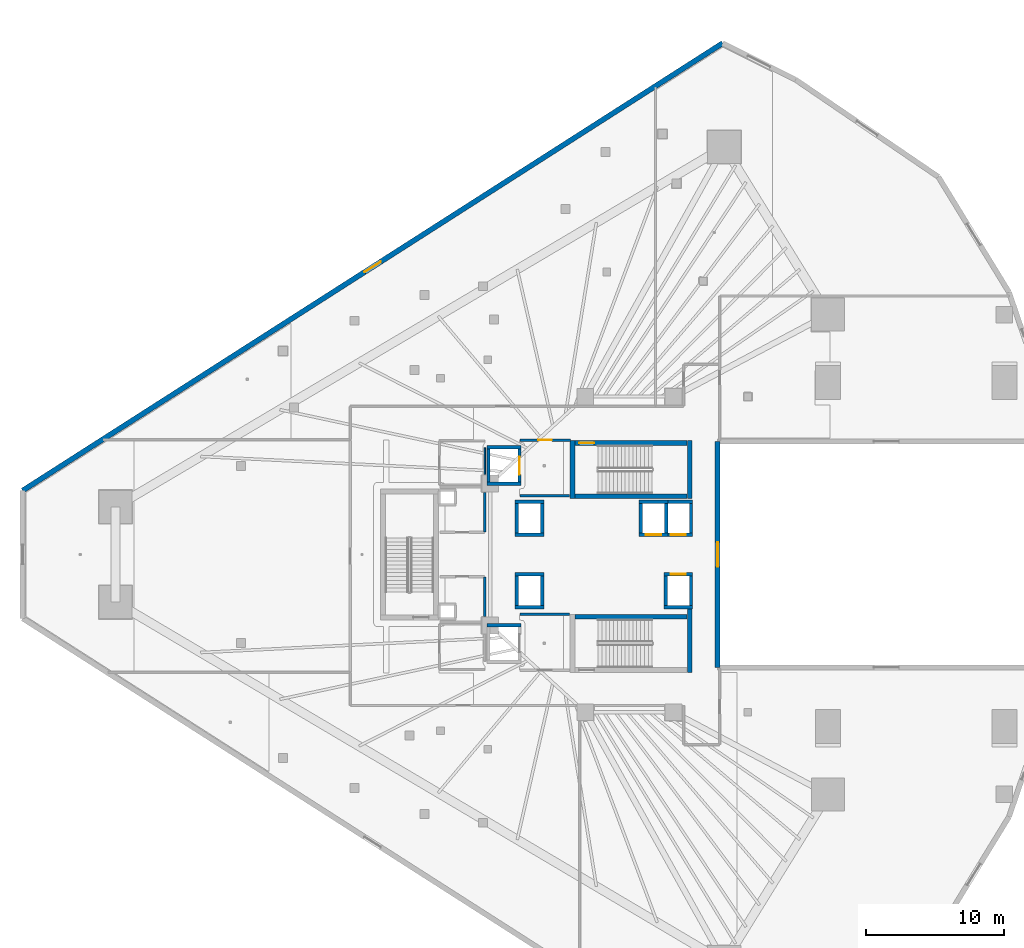
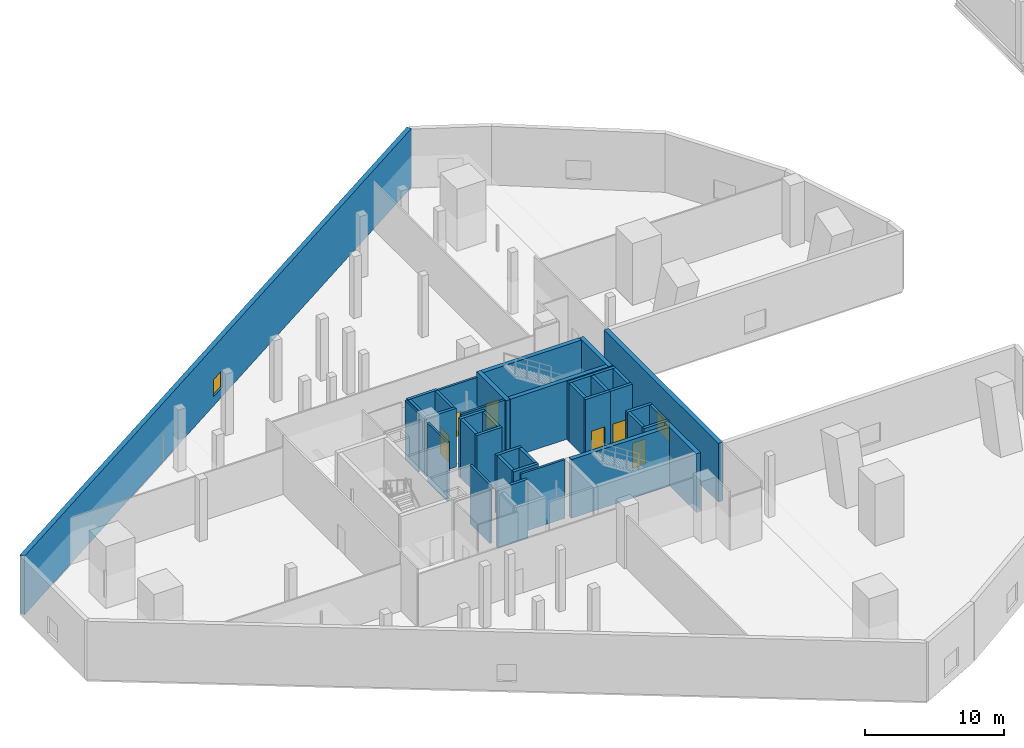
# One storey, part 28 of 47: 38 walls, 6 doors, 2 windows, 8 openings.
"""IFC4 building model written with IfcOpenShell, lengths in metres."""

from ifc_helpers import new_model, si_unit, direction, frame, frame_2d, origin, place, context, subcontext, project, spatial, rectangle, extrude, material, layer, layer_set, type_object, element, fill, save


model = new_model("IFC4")

# Units and contexts
model_context = context("Model", 3, precision=1e-05, world=origin(), true_north=direction((0.0, 1.0)))
body_context = subcontext(model_context, "Body", "Model", "MODEL_VIEW")
ifc_project = project(units=[si_unit("LENGTHUNIT", "METRE"), si_unit("AREAUNIT", "SQUARE_METRE"), si_unit("VOLUMEUNIT", "CUBIC_METRE"), si_unit("PLANEANGLEUNIT", "RADIAN"), si_unit("MASSUNIT", "GRAM", prefix="KILO")], contexts=[model_context])

# Site, building, storey
site_placement = place(None, origin())
site = spatial("IfcSite", under=ifc_project, at=site_placement, CompositionType="ELEMENT")
building_placement = place(site_placement, origin())
building = spatial("IfcBuilding", under=site, at=building_placement, Name="Qorvath Tower", CompositionType="ELEMENT")
storey_placement = place(building_placement, frame((0.0, 0.0, 6.60009765625)))
storey = spatial("IfcBuildingStorey", under=building, at=storey_placement, Name="L01", CompositionType="ELEMENT", Elevation=6.60009765625)

# Wall
ifc_material_1 = material(Name="Gypsum shaftliner on steel studs", Category="steel")
ifc_layer_1 = layer(ifc_material_1, 0.179931640625)
ifc_layer_set_1 = layer_set([ifc_layer_1], Name="FW-LOBBY")
wall_type_1 = type_object("IfcWallType", Name="FW-LOBBY", PredefinedType="PARTITIONING", material=ifc_layer_set_1)
wall_1_placement = place(storey_placement, frame((-28.35498046875, 4.25, 0.0), z_axis=(0.0, 0.0, 1.0), x_axis=(1.0, 0.0, 0.0)))
element("IfcWall", 1, at=wall_1_placement, inside=storey, type_object=wall_type_1, Name="Interior Partition IW-T1-L01-001", PredefinedType="PARTITIONING", context=body_context, shape_type="SweptSolid", body=[
    extrude(rectangle(XDim=3.6220703125, YDim=0.179931640625, at=frame_2d((1.81103515625, 0.0))), origin(), (0.0, 0.0, 1.0), 5.139892578125),
])

# Wall, opening, door
wall_2_placement = place(storey_placement, frame((-24.68408203125, 8.300048828125, 0.0), z_axis=(0.0, 0.0, 1.0), x_axis=(-1.0, 0.0, 0.0)))
wall_2 = element("IfcWall", 2, at=wall_2_placement, inside=storey, type_object=wall_type_1, Name="Interior Partition IW-T1-L01-002", PredefinedType="PARTITIONING", context=body_context, shape_type="SweptSolid", body=[
    extrude(rectangle(XDim=3.6708984375, YDim=0.179931640625, at=frame_2d((1.83544921875, 0.0))), origin(), (0.0, 0.0, 1.0), 4.65283203125),
])
opening_1_placement = place(wall_2_placement, frame((1.33544921875, 0.0, 0.0)))
opening_1 = element("IfcOpeningElement", 3, at=opening_1_placement, cuts=wall_2, Name="Opening D-T1-L01-11", PredefinedType="OPENING", context=body_context, shape_type="SweptSolid", body=[
    extrude(rectangle(XDim=1.0, YDim=2.14990234375, at=frame_2d((0.5, 1.074951171875))), frame((0.0, 0.10009765625, 0.0), z_axis=(0.0, -1.0, 0.0), x_axis=(1.0, 0.0, 0.0)), (0.0, 0.0, 1.0), 0.199951171875),
])
ifc_material_2 = material(Name="Painted galvanised hollow metal", Category="steel")
door_type_1 = type_object("IfcDoorType", Name="FD-60", OperationType="NOTDEFINED", PredefinedType="DOOR", material=ifc_material_2)
door_1_placement = place(opening_1_placement, origin())
door_1 = element("IfcDoor", 4, at=door_1_placement, inside=storey, type_object=door_type_1, Name="Lobby Fire Service Elevator North Door D-T1-L01-11", OperationType="SINGLE_SWING_RIGHT", OverallHeight=2.14990234375, OverallWidth=1.0, PredefinedType="DOOR", context=body_context, shape_type="SweptSolid", body=[
    extrude(rectangle(XDim=1.0, YDim=2.14990234375, at=frame_2d((0.5, 1.074951171875))), frame((0.0, 0.02490234375, 0.0), z_axis=(0.0, -1.0, 0.0), x_axis=(1.0, 0.0, 0.0)), (0.0, 0.0, 1.0), 0.050048828125),
])
fill(opening_1, door_1)

# Walls
wall_3_placement = place(storey_placement, frame((-24.73291015625, -4.35009765625, 0.0), z_axis=(0.0, 0.0, 1.0), x_axis=(-1.0, 0.0, 0.0)))
element("IfcWall", 5, at=wall_3_placement, inside=storey, type_object=wall_type_1, Name="Interior Partition IW-T1-L01-004", PredefinedType="PARTITIONING", context=body_context, shape_type="SweptSolid", body=[
    extrude(rectangle(XDim=3.6220703125, YDim=0.179931640625, at=frame_2d((1.81103515625, 0.0))), origin(), (0.0, 0.0, 1.0), 5.139892578125),
])
for number, where, z_axis, x_axis, name in (
    (6, (-30.8798828125, 1.625, 0.0), (0.0, 0.0, 1.0), (0.0, 1.0, 0.0), "Interior Partition IW-T1-L01-014"),
    (7, (-30.8798828125, -4.485107421875, 0.0), (0.0, 0.0, 1.0), (0.0, 1.0, 0.0), "Interior Partition IW-T1-L01-017"),
):
    element("IfcWall", number, at=place(storey_placement, frame(where, z_axis=z_axis, x_axis=x_axis)), inside=storey, type_object=wall_type_1, Name=name, PredefinedType="PARTITIONING", context=body_context, shape_type="SweptSolid", body=[
        extrude(rectangle(XDim=2.860107421875, YDim=0.179931640625, at=frame_2d((1.43017578125, 0.0))), origin(), (0.0, 0.0, 1.0), 5.139892578125),
    ])
ifc_material_3 = material(Name="Moisture-resistant cement board on metal studs", Category="gypsum")
ifc_layer_2 = layer(ifc_material_3, 0.110107421875)
ifc_layer_set_2 = layer_set([ifc_layer_2], Name="IW-WC-110")
wall_type_2 = type_object("IfcWallType", Name="IW-WC-110", PredefinedType="PARTITIONING", material=ifc_layer_set_2)
wall_4_placement = place(storey_placement, frame((-30.8798828125, 5.81494140625, 0.0), z_axis=(0.0, 0.0, 1.0), x_axis=(0.0, 1.0, 0.0)))
element("IfcWall", 8, at=wall_4_placement, inside=storey, type_object=wall_type_2, Name="Interior Partition IW-T1-L01-007", PredefinedType="PARTITIONING", context=body_context, shape_type="SweptSolid", body=[
    extrude(rectangle(XDim=1.927978515625, YDim=0.110107421875, at=frame_2d((0.9638671875, 0.0))), origin(), (0.0, 0.0, 1.0), 5.139892578125),
])
ifc_material_4 = material(Name="Concrete C60/75", Category="concrete")
ifc_layer_3 = layer(ifc_material_4, 0.260009765625)
ifc_layer_set_3 = layer_set([ifc_layer_3], Name="SW-SHAFT")
wall_type_3 = type_object("IfcWallType", Name="SW-SHAFT", PredefinedType="SHEAR", material=ifc_layer_set_3)
for number, where, z_axis, x_axis, name in (
    (9, (-28.260009765625, 5.1298828125, 0.0), (0.0, 0.0, 1.0), (-1.0, 0.0, 0.0), "Hoistway Wall FSAE-1 L01 S"),
    (10, (-30.739990234375, 7.77001953125, 0.0), (0.0, 0.0, 1.0), (1.0, 0.0, 0.0), "Hoistway Wall FSAE-1 L01 N"),
):
    element("IfcWall", number, at=place(storey_placement, frame(where, z_axis=z_axis, x_axis=x_axis)), inside=storey, type_object=wall_type_3, Name=name, PredefinedType="SHEAR", context=body_context, shape_type="SweptSolid", body=[
        extrude(rectangle(XDim=2.47998046875, YDim=0.239990234375, at=frame_2d((1.239990234375, 0.0))), origin(), (0.0, 0.0, 1.0), 5.139892578125),
    ])
wall_5_placement = place(storey_placement, frame((-30.6201171875, 5.261962890625, 0.0), z_axis=(0.0, 0.0, 1.0), x_axis=(0.0, 1.0, 0.0)))
element("IfcWall", 11, at=wall_5_placement, inside=storey, type_object=wall_type_3, Name="Hoistway Wall FSAE-1 L01 W", PredefinedType="SHEAR", context=body_context, shape_type="SweptSolid", body=[
    extrude(rectangle(XDim=2.3759765625, YDim=0.239990234375, at=frame_2d((1.18798828125, 0.0))), origin(), (0.0, 0.0, 1.0), 5.139892578125),
])

# Wall, opening, door
wall_6_placement = place(storey_placement, frame((-28.3798828125, 7.637939453125, 0.0), z_axis=(0.0, 0.0, 1.0), x_axis=(0.0, -1.0, 0.0)))
wall_6 = element("IfcWall", 12, at=wall_6_placement, inside=storey, type_object=wall_type_3, Name="Hoistway Wall FSAE-1 L01 E", PredefinedType="SHEAR", context=body_context, shape_type="SweptSolid", body=[
    extrude(rectangle(XDim=2.3759765625, YDim=0.239990234375, at=frame_2d((1.18798828125, 0.0))), origin(), (0.0, 0.0, 1.0), 5.139892578125),
])
opening_2_placement = place(wall_6_placement, frame((0.537841796875, 0.0, 0.0)))
opening_2 = element("IfcOpeningElement", 13, at=opening_2_placement, cuts=wall_6, Name="Opening LD-FSAE-1-L01", PredefinedType="OPENING", context=body_context, shape_type="SweptSolid", body=[
    extrude(rectangle(XDim=1.300048828125, YDim=2.300048828125, at=frame_2d((0.64990234375, 1.14990234375))), frame((0.0, 0.1298828125, 0.0), z_axis=(0.0, -1.0, 0.0), x_axis=(1.0, 0.0, 0.0)), (0.0, 0.0, 1.0), 0.260009765625),
])
ifc_material_5 = material(Name="Brushed stainless steel AISI 316", Category="steel")
door_type_2 = type_object("IfcDoorType", Name="LD-02", OperationType="NOTDEFINED", PredefinedType="DOOR", material=ifc_material_5)
door_2_placement = place(opening_2_placement, origin())
door_2 = element("IfcDoor", 14, at=door_2_placement, inside=storey, type_object=door_type_2, Name="Elevator Landing Sliding Door LD-FSAE-1-L01", OperationType="DOUBLE_DOOR_SLIDING", OverallHeight=2.300048828125, OverallWidth=1.300048828125, PredefinedType="DOOR", context=body_context, shape_type="SweptSolid", body=[
    extrude(rectangle(XDim=1.300048828125, YDim=2.300048828125, at=frame_2d((0.64990234375, 1.14990234375))), frame((0.0, 0.02490234375, 0.0), z_axis=(0.0, -1.0, 0.0), x_axis=(1.0, 0.0, 0.0)), (0.0, 0.0, 1.0), 0.050048828125),
])
fill(opening_2, door_2)

# Walls
wall_7_placement = place(storey_placement, frame((-30.739990234375, -5.1298828125, 0.0), z_axis=(0.0, 0.0, 1.0), x_axis=(1.0, 0.0, 0.0)))
element("IfcWall", 15, at=wall_7_placement, inside=storey, type_object=wall_type_3, Name="Hoistway Wall FSAE-2 L01 N", PredefinedType="SHEAR", context=body_context, shape_type="SweptSolid", body=[
    extrude(rectangle(XDim=2.47998046875, YDim=0.239990234375, at=frame_2d((1.239990234375, 0.0))), origin(), (0.0, 0.0, 1.0), 5.139892578125),
])
for number, where, z_axis, x_axis, name in (
    (16, (-26.610107421875, 1.429931640625, 0.0), (0.0, 0.0, 1.0), (-1.0, 0.0, 0.0), "Hoistway Wall PS-1 L01 S"),
    (17, (-28.68994140625, 3.820068359375, 0.0), (0.0, 0.0, 1.0), (1.0, 0.0, 0.0), "Hoistway Wall PS-1 L01 N"),
):
    element("IfcWall", number, at=place(storey_placement, frame(where, z_axis=z_axis, x_axis=x_axis)), inside=storey, type_object=wall_type_3, Name=name, PredefinedType="SHEAR", context=body_context, shape_type="SweptSolid", body=[
        extrude(rectangle(XDim=2.079833984375, YDim=0.239990234375, at=frame_2d((1.0400390625, 0.0))), origin(), (0.0, 0.0, 1.0), 5.139892578125),
    ])
for number, where, z_axis, x_axis, name in (
    (18, (-28.570068359375, 1.56201171875, 0.0), (0.0, 0.0, 1.0), (0.0, 1.0, 0.0), "Hoistway Wall PS-1 L01 W"),
    (19, (-26.72998046875, 3.68798828125, 0.0), (0.0, 0.0, 1.0), (0.0, -1.0, 0.0), "Hoistway Wall PS-1 L01 E"),
):
    element("IfcWall", number, at=place(storey_placement, frame(where, z_axis=z_axis, x_axis=x_axis)), inside=storey, type_object=wall_type_3, Name=name, PredefinedType="SHEAR", context=body_context, shape_type="SweptSolid", body=[
        extrude(rectangle(XDim=2.1259765625, YDim=0.239990234375, at=frame_2d((1.06298828125, 0.0))), origin(), (0.0, 0.0, 1.0), 5.139892578125),
    ])

# Wall, opening, door
wall_8_placement = place(storey_placement, frame((-17.610107421875, 1.429931640625, 0.0), z_axis=(0.0, 0.0, 1.0), x_axis=(-1.0, 0.0, 0.0)))
wall_8 = element("IfcWall", 20, at=wall_8_placement, inside=storey, type_object=wall_type_3, Name="Hoistway Wall PL-1 L01 S", PredefinedType="SHEAR", context=body_context, shape_type="SweptSolid", body=[
    extrude(rectangle(XDim=2.079833984375, YDim=0.239990234375, at=frame_2d((1.0400390625, 0.0))), origin(), (0.0, 0.0, 1.0), 5.139892578125),
])
opening_3_placement = place(wall_8_placement, frame((0.48974609375, 0.0, 0.0)))
opening_3 = element("IfcOpeningElement", 21, at=opening_3_placement, cuts=wall_8, Name="Opening LD-PL-1-L01", PredefinedType="OPENING", context=body_context, shape_type="SweptSolid", body=[
    extrude(rectangle(XDim=1.10009765625, YDim=2.199951171875, at=frame_2d((0.550048828125, 1.10009765625))), frame((0.0, 0.1298828125, 0.0), z_axis=(0.0, -1.0, 0.0), x_axis=(1.0, 0.0, 0.0)), (0.0, 0.0, 1.0), 0.260009765625),
])
ifc_material_6 = material(Name="Brushed stainless steel AISI 316", Category="steel")
door_type_3 = type_object("IfcDoorType", Name="LD-01", OperationType="NOTDEFINED", PredefinedType="DOOR", material=ifc_material_6)
door_3_placement = place(opening_3_placement, origin())
door_3 = element("IfcDoor", 22, at=door_3_placement, inside=storey, type_object=door_type_3, Name="Elevator Landing Sliding Door LD-PL-1-L01", OperationType="DOUBLE_DOOR_SLIDING", OverallHeight=2.199951171875, OverallWidth=1.10009765625, PredefinedType="DOOR", context=body_context, shape_type="SweptSolid", body=[
    extrude(rectangle(XDim=1.10009765625, YDim=2.199951171875, at=frame_2d((0.550048828125, 1.10009765625))), frame((0.0, 0.02490234375, 0.0), z_axis=(0.0, -1.0, 0.0), x_axis=(1.0, 0.0, 0.0)), (0.0, 0.0, 1.0), 0.050048828125),
])
fill(opening_3, door_3)

# Walls
wall_9_placement = place(storey_placement, frame((-19.68994140625, 3.820068359375, 0.0), z_axis=(0.0, 0.0, 1.0), x_axis=(1.0, 0.0, 0.0)))
element("IfcWall", 23, at=wall_9_placement, inside=storey, type_object=wall_type_3, Name="Hoistway Wall PL-1 L01 N", PredefinedType="SHEAR", context=body_context, shape_type="SweptSolid", body=[
    extrude(rectangle(XDim=2.079833984375, YDim=0.239990234375, at=frame_2d((1.0400390625, 0.0))), origin(), (0.0, 0.0, 1.0), 5.139892578125),
])
for number, where, z_axis, x_axis, name in (
    (24, (-19.570068359375, 1.56201171875, 0.0), (0.0, 0.0, 1.0), (0.0, 1.0, 0.0), "Hoistway Wall PL-1 L01 W"),
    (25, (-17.72998046875, 3.68798828125, 0.0), (0.0, 0.0, 1.0), (0.0, -1.0, 0.0), "Hoistway Wall PL-1 L01 E"),
):
    element("IfcWall", number, at=place(storey_placement, frame(where, z_axis=z_axis, x_axis=x_axis)), inside=storey, type_object=wall_type_3, Name=name, PredefinedType="SHEAR", context=body_context, shape_type="SweptSolid", body=[
        extrude(rectangle(XDim=2.1259765625, YDim=0.239990234375, at=frame_2d((1.06298828125, 0.0))), origin(), (0.0, 0.0, 1.0), 5.139892578125),
    ])

# Wall, opening, door
wall_10_placement = place(storey_placement, frame((-15.81005859375, 1.429931640625, 0.0), z_axis=(0.0, 0.0, 1.0), x_axis=(-1.0, 0.0, 0.0)))
wall_10 = element("IfcWall", 26, at=wall_10_placement, inside=storey, type_object=wall_type_3, Name="Hoistway Wall PL-3 L01 S", PredefinedType="SHEAR", context=body_context, shape_type="SweptSolid", body=[
    extrude(rectangle(XDim=1.800048828125, YDim=0.239990234375, at=frame_2d((0.89990234375, 0.0))), origin(), (0.0, 0.0, 1.0), 5.139892578125),
])
opening_4_placement = place(wall_10_placement, frame((0.489990234375, 0.0, 0.0)))
opening_4 = element("IfcOpeningElement", 27, at=opening_4_placement, cuts=wall_10, Name="Opening LD-PL-3-L01", PredefinedType="OPENING", context=body_context, shape_type="SweptSolid", body=[
    extrude(rectangle(XDim=1.10009765625, YDim=2.199951171875, at=frame_2d((0.550048828125, 1.10009765625))), frame((0.0, 0.1298828125, 0.0), z_axis=(0.0, -1.0, 0.0), x_axis=(1.0, 0.0, 0.0)), (0.0, 0.0, 1.0), 0.260009765625),
])
door_4_placement = place(opening_4_placement, origin())
door_4 = element("IfcDoor", 28, at=door_4_placement, inside=storey, type_object=door_type_3, Name="Elevator Landing Sliding Door LD-PL-3-L01", OperationType="DOUBLE_DOOR_SLIDING", OverallHeight=2.199951171875, OverallWidth=1.10009765625, PredefinedType="DOOR", context=body_context, shape_type="SweptSolid", body=[
    extrude(rectangle(XDim=1.10009765625, YDim=2.199951171875, at=frame_2d((0.550048828125, 1.10009765625))), frame((0.0, 0.02490234375, 0.0), z_axis=(0.0, -1.0, 0.0), x_axis=(1.0, 0.0, 0.0)), (0.0, 0.0, 1.0), 0.050048828125),
])
fill(opening_4, door_4)

# Walls
wall_11_placement = place(storey_placement, frame((-17.610107421875, 3.820068359375, 0.0), z_axis=(0.0, 0.0, 1.0), x_axis=(1.0, 0.0, 0.0)))
element("IfcWall", 29, at=wall_11_placement, inside=storey, type_object=wall_type_3, Name="Hoistway Wall PL-3 L01 N", PredefinedType="SHEAR", context=body_context, shape_type="SweptSolid", body=[
    extrude(rectangle(XDim=1.800048828125, YDim=0.239990234375, at=frame_2d((0.89990234375, 0.0))), origin(), (0.0, 0.0, 1.0), 5.139892578125),
])
wall_12_placement = place(storey_placement, frame((-15.929931640625, 3.68798828125, 0.0), z_axis=(0.0, 0.0, 1.0), x_axis=(0.0, -1.0, 0.0)))
element("IfcWall", 30, at=wall_12_placement, inside=storey, type_object=wall_type_3, Name="Hoistway Wall PL-3 L01 E", PredefinedType="SHEAR", context=body_context, shape_type="SweptSolid", body=[
    extrude(rectangle(XDim=2.1259765625, YDim=0.239990234375, at=frame_2d((1.06298828125, 0.0))), origin(), (0.0, 0.0, 1.0), 5.139892578125),
])
for number, where, z_axis, x_axis, name in (
    (31, (-26.610107421875, -3.820068359375, 0.0), (0.0, 0.0, 1.0), (-1.0, 0.0, 0.0), "Hoistway Wall PS-2 L01 S"),
    (32, (-28.68994140625, -1.429931640625, 0.0), (0.0, 0.0, 1.0), (1.0, 0.0, 0.0), "Hoistway Wall PS-2 L01 N"),
):
    element("IfcWall", number, at=place(storey_placement, frame(where, z_axis=z_axis, x_axis=x_axis)), inside=storey, type_object=wall_type_3, Name=name, PredefinedType="SHEAR", context=body_context, shape_type="SweptSolid", body=[
        extrude(rectangle(XDim=2.079833984375, YDim=0.239990234375, at=frame_2d((1.0400390625, 0.0))), origin(), (0.0, 0.0, 1.0), 5.139892578125),
    ])
for number, where, z_axis, x_axis, name in (
    (33, (-28.570068359375, -3.68798828125, 0.0), (0.0, 0.0, 1.0), (0.0, 1.0, 0.0), "Hoistway Wall PS-2 L01 W"),
    (34, (-26.72998046875, -1.56201171875, 0.0), (0.0, 0.0, 1.0), (0.0, -1.0, 0.0), "Hoistway Wall PS-2 L01 E"),
):
    element("IfcWall", number, at=place(storey_placement, frame(where, z_axis=z_axis, x_axis=x_axis)), inside=storey, type_object=wall_type_3, Name=name, PredefinedType="SHEAR", context=body_context, shape_type="SweptSolid", body=[
        extrude(rectangle(XDim=2.1259765625, YDim=0.239990234375, at=frame_2d((1.06298828125, 0.0))), origin(), (0.0, 0.0, 1.0), 5.139892578125),
    ])
wall_13_placement = place(storey_placement, frame((-15.81005859375, -3.820068359375, 0.0), z_axis=(0.0, 0.0, 1.0), x_axis=(-1.0, 0.0, 0.0)))
element("IfcWall", 35, at=wall_13_placement, inside=storey, type_object=wall_type_3, Name="Hoistway Wall PL-2 L01 S", PredefinedType="SHEAR", context=body_context, shape_type="SweptSolid", body=[
    extrude(rectangle(XDim=2.079833984375, YDim=0.239990234375, at=frame_2d((1.0400390625, 0.0))), origin(), (0.0, 0.0, 1.0), 5.139892578125),
])

# Wall, opening, door
wall_14_placement = place(storey_placement, frame((-17.889892578125, -1.429931640625, 0.0), z_axis=(0.0, 0.0, 1.0), x_axis=(1.0, 0.0, 0.0)))
wall_14 = element("IfcWall", 36, at=wall_14_placement, inside=storey, type_object=wall_type_3, Name="Hoistway Wall PL-2 L01 N", PredefinedType="SHEAR", context=body_context, shape_type="SweptSolid", body=[
    extrude(rectangle(XDim=2.079833984375, YDim=0.239990234375, at=frame_2d((1.0400390625, 0.0))), origin(), (0.0, 0.0, 1.0), 5.139892578125),
])
opening_5_placement = place(wall_14_placement, frame((0.48974609375, 0.0, 0.0)))
opening_5 = element("IfcOpeningElement", 37, at=opening_5_placement, cuts=wall_14, Name="Opening LD-PL-2-L01", PredefinedType="OPENING", context=body_context, shape_type="SweptSolid", body=[
    extrude(rectangle(XDim=1.10009765625, YDim=2.199951171875, at=frame_2d((0.550048828125, 1.10009765625))), frame((0.0, 0.1298828125, 0.0), z_axis=(0.0, -1.0, 0.0), x_axis=(1.0, 0.0, 0.0)), (0.0, 0.0, 1.0), 0.260009765625),
])
door_5_placement = place(opening_5_placement, origin())
door_5 = element("IfcDoor", 38, at=door_5_placement, inside=storey, type_object=door_type_3, Name="Elevator Landing Sliding Door LD-PL-2-L01", OperationType="DOUBLE_DOOR_SLIDING", OverallHeight=2.199951171875, OverallWidth=1.10009765625, PredefinedType="DOOR", context=body_context, shape_type="SweptSolid", body=[
    extrude(rectangle(XDim=1.10009765625, YDim=2.199951171875, at=frame_2d((0.550048828125, 1.10009765625))), frame((0.0, 0.02490234375, 0.0), z_axis=(0.0, -1.0, 0.0), x_axis=(1.0, 0.0, 0.0)), (0.0, 0.0, 1.0), 0.050048828125),
])
fill(opening_5, door_5)

# Walls
for number, where, z_axis, x_axis, name in (
    (39, (-17.77001953125, -3.68798828125, 0.0), (0.0, 0.0, 1.0), (0.0, 1.0, 0.0), "Hoistway Wall PL-2 L01 W"),
    (40, (-15.929931640625, -1.56201171875, 0.0), (0.0, 0.0, 1.0), (0.0, -1.0, 0.0), "Hoistway Wall PL-2 L01 E"),
):
    element("IfcWall", number, at=place(storey_placement, frame(where, z_axis=z_axis, x_axis=x_axis)), inside=storey, type_object=wall_type_3, Name=name, PredefinedType="SHEAR", context=body_context, shape_type="SweptSolid", body=[
        extrude(rectangle(XDim=2.1259765625, YDim=0.239990234375, at=frame_2d((1.06298828125, 0.0))), origin(), (0.0, 0.0, 1.0), 5.139892578125),
    ])
ifc_material_7 = material(Name="Concrete C60/75", Category="concrete")
ifc_layer_4 = layer(ifc_material_7, 0.35009765625)
ifc_layer_set_4 = layer_set([ifc_layer_4], Name="SW-STAIR")
wall_type_4 = type_object("IfcWallType", Name="SW-STAIR", PredefinedType="SHEAR", material=ifc_layer_set_4)
for number, where, z_axis, x_axis, name in (
    (41, (-24.52490234375, 8.260009765625, 0.0), (0.0, 0.0, 1.0), (0.0, -1.0, 0.0), "Stair TS1 Shear Wall L01 NEAR"),
    (42, (-16.02490234375, 4.050048828125, 0.0), (0.0, 0.0, 1.0), (0.0, 1.0, 0.0), "Stair TS1 Shear Wall L01 FAR"),
):
    element("IfcWall", number, at=place(storey_placement, frame(where, z_axis=z_axis, x_axis=x_axis)), inside=storey, type_object=wall_type_4, Name=name, PredefinedType="SHEAR", context=body_context, shape_type="SweptSolid", body=[
        extrude(rectangle(XDim=4.2099609375, YDim=0.35009765625, at=frame_2d((2.10498046875, 0.0))), origin(), (0.0, 0.0, 1.0), 5.139892578125),
    ])
wall_15_placement = place(storey_placement, frame((-24.3349609375, 4.22509765625, 0.0), z_axis=(0.0, 0.0, 1.0), x_axis=(1.0, 0.0, 0.0)))
element("IfcWall", 43, at=wall_15_placement, inside=storey, type_object=wall_type_4, Name="Stair TS1 Shear Wall L01 LEFT", PredefinedType="SHEAR", context=body_context, shape_type="SweptSolid", body=[
    extrude(rectangle(XDim=8.119873046875, YDim=0.35009765625, at=frame_2d((4.06005859375, 0.0))), origin(), (0.0, 0.0, 1.0), 5.139892578125),
])

# Wall, opening, door
wall_16_placement = place(storey_placement, frame((-16.215087890625, 8.0849609375, 0.0), z_axis=(0.0, 0.0, 1.0), x_axis=(-1.0, 0.0, 0.0)))
wall_16 = element("IfcWall", 44, at=wall_16_placement, inside=storey, type_object=wall_type_4, Name="Stair TS1 Shear Wall L01 RIGHT", PredefinedType="SHEAR", context=body_context, shape_type="SweptSolid", body=[
    extrude(rectangle(XDim=8.119873046875, YDim=0.35009765625, at=frame_2d((4.06005859375, 0.0))), origin(), (0.0, 0.0, 1.0), 5.139892578125),
])
opening_6_placement = place(wall_16_placement, frame((6.739990234375, 0.0, 0.0)))
opening_6 = element("IfcOpeningElement", 45, at=opening_6_placement, cuts=wall_16, Name="Opening D-TS1-L01", PredefinedType="OPENING", context=body_context, shape_type="SweptSolid", body=[
    extrude(rectangle(XDim=1.10009765625, YDim=2.199951171875, at=frame_2d((0.550048828125, 1.10009765625))), frame((0.0, 0.18505859375, 0.0), z_axis=(0.0, -1.0, 0.0), x_axis=(1.0, 0.0, 0.0)), (0.0, 0.0, 1.0), 0.3701171875),
])
ifc_material_8 = material(Name="Painted galvanised hollow metal", Category="steel")
door_type_4 = type_object("IfcDoorType", Name="FD-90", OperationType="NOTDEFINED", PredefinedType="DOOR", material=ifc_material_8)
door_6_placement = place(opening_6_placement, origin())
door_6 = element("IfcDoor", 46, at=door_6_placement, inside=storey, type_object=door_type_4, Name="Stair TS1 Fire Door L01", OperationType="SINGLE_SWING_RIGHT", OverallHeight=2.199951171875, OverallWidth=1.10009765625, PredefinedType="DOOR", context=body_context, shape_type="SweptSolid", body=[
    extrude(rectangle(XDim=1.10009765625, YDim=2.199951171875, at=frame_2d((0.550048828125, 1.10009765625))), frame((0.0, 0.02490234375, 0.0), z_axis=(0.0, -1.0, 0.0), x_axis=(1.0, 0.0, 0.0)), (0.0, 0.0, 1.0), 0.050048828125),
])
fill(opening_6, door_6)

# Walls
wall_17_placement = place(storey_placement, frame((-16.02490234375, -8.550048828125, 0.0), z_axis=(0.0, 0.0, 1.0), x_axis=(0.0, 1.0, 0.0)))
element("IfcWall", 47, at=wall_17_placement, inside=storey, type_object=wall_type_4, Name="Stair TS2 Shear Wall L01 FAR", PredefinedType="SHEAR", context=body_context, shape_type="SweptSolid", body=[
    extrude(rectangle(XDim=4.610107421875, YDim=0.35009765625, at=frame_2d((2.30517578125, 0.0))), origin(), (0.0, 0.0, 1.0), 5.139892578125),
])
wall_18_placement = place(storey_placement, frame((-16.215087890625, -4.514892578125, 0.0), z_axis=(0.0, 0.0, 1.0), x_axis=(-1.0, 0.0, 0.0)))
element("IfcWall", 48, at=wall_18_placement, inside=storey, type_object=wall_type_4, Name="Stair TS2 Shear Wall L01 RIGHT", PredefinedType="SHEAR", context=body_context, shape_type="SweptSolid", body=[
    extrude(rectangle(XDim=8.119873046875, YDim=0.35009765625, at=frame_2d((4.06005859375, 0.0))), origin(), (0.0, 0.0, 1.0), 5.139892578125),
])

# Wall, opening, window
ifc_material_9 = material(Name="Precast concrete C50/60", Category="concrete")
ifc_layer_5 = layer(ifc_material_9, 0.3798828125)
ifc_layer_set_5 = layer_set([ifc_layer_5], Name="WL-EW-POD-380")
wall_type_5 = type_object("IfcWallType", Name="WL-EW-POD-380", PredefinedType="SOLIDWALL", material=ifc_layer_set_5)
wall_19_placement = place(storey_placement, frame((-14.0, 8.199951171875, 0.0), z_axis=(0.0, 0.0, 1.0), x_axis=(0.0, -1.0, 0.0)))
wall_19 = element("IfcWall", 49, at=wall_19_placement, inside=storey, type_object=wall_type_5, Name="Tower Podium Precast Facade Wall L01-2.1", PredefinedType="SOLIDWALL", context=body_context, shape_type="SweptSolid", body=[
    extrude(rectangle(XDim=16.39990234375, YDim=0.3798828125, at=frame_2d((8.199951171875, 0.0))), origin(), (0.0, 0.0, 1.0), 5.139892578125),
])
opening_7_placement = place(wall_19_placement, frame((7.300048828125, 0.0, 0.800048828125)))
opening_7 = element("IfcOpeningElement", 50, at=opening_7_placement, cuts=wall_19, Name="Opening WN-L01-002", PredefinedType="OPENING", context=body_context, shape_type="SweptSolid", body=[
    extrude(rectangle(XDim=1.800048828125, YDim=1.64990234375, at=frame_2d((0.89990234375, 0.824951171875))), frame((0.0, 0.199951171875, 0.0), z_axis=(0.0, -1.0, 0.0), x_axis=(1.0, 0.0, 0.0)), (0.0, 0.0, 1.0), 0.39990234375),
])
ifc_material_10 = material(Name="Thermally broken aluminium and triple low-E glass", Category="aluminium")
window_type_1 = type_object("IfcWindowType", Name="WN-1", PartitioningType="SINGLE_PANEL", PredefinedType="WINDOW", material=ifc_material_10)
window_1_placement = place(opening_7_placement, origin())
window_1 = element("IfcWindow", 51, at=window_1_placement, inside=storey, type_object=window_type_1, Name="Podium Punched Window L01-002", OverallHeight=1.64990234375, OverallWidth=1.800048828125, PartitioningType="SINGLE_PANEL", PredefinedType="WINDOW", context=body_context, shape_type="SweptSolid", body=[
    extrude(rectangle(XDim=1.800048828125, YDim=1.64990234375, at=frame_2d((0.89990234375, 0.824951171875))), frame((0.0, 0.030029296875, 0.0), z_axis=(0.0, -1.0, 0.0), x_axis=(1.0, 0.0, 0.0)), (0.0, 0.0, 1.0), 0.06005859375),
])
fill(opening_7, window_1)

wall_20_placement = place(storey_placement, frame((-64.419189453125, 4.63671875, 0.0), z_axis=(0.0, 0.0, 1.0), x_axis=(0.842602364841, 0.538536214905, 0.0)))
wall_20 = element("IfcWall", 52, at=wall_20_placement, inside=storey, type_object=wall_type_5, Name="Tower Podium Precast Facade Wall L01-9.1", PredefinedType="SOLIDWALL", context=body_context, shape_type="SweptSolid", body=[
    extrude(rectangle(XDim=60.270263671875, YDim=0.3798828125, at=frame_2d((30.13525390625, 0.0))), origin(), (0.0, 0.0, 1.0), 5.139892578125),
])
opening_8_placement = place(wall_20_placement, frame((29.43505859375, 0.0, 0.800048828125)))
opening_8 = element("IfcOpeningElement", 53, at=opening_8_placement, cuts=wall_20, Name="Opening WN-L01-008", PredefinedType="OPENING", context=body_context, shape_type="SweptSolid", body=[
    extrude(rectangle(XDim=1.39990234375, YDim=1.5, at=frame_2d((0.699951171875, 0.75))), frame((0.0, 0.199951171875, 0.0), z_axis=(0.0, -1.0, 0.0), x_axis=(1.0, 0.0, 0.0)), (0.0, 0.0, 1.0), 0.39990234375),
])
ifc_material_11 = material(Name="Thermally broken aluminium and triple low-E glass", Category="aluminium")
window_type_2 = type_object("IfcWindowType", Name="WN-3", PartitioningType="SINGLE_PANEL", PredefinedType="WINDOW", material=ifc_material_11)
window_2_placement = place(opening_8_placement, origin())
window_2 = element("IfcWindow", 54, at=window_2_placement, inside=storey, type_object=window_type_2, Name="Podium Punched Window L01-008", OverallHeight=1.5, OverallWidth=1.39990234375, PartitioningType="SINGLE_PANEL", PredefinedType="WINDOW", context=body_context, shape_type="SweptSolid", body=[
    extrude(rectangle(XDim=1.39990234375, YDim=1.5, at=frame_2d((0.699951171875, 0.75))), frame((0.0, 0.030029296875, 0.0), z_axis=(0.0, -1.0, 0.0), x_axis=(1.0, 0.0, 0.0)), (0.0, 0.0, 1.0), 0.06005859375),
])
fill(opening_8, window_2)

save(model, "model.ifc")
